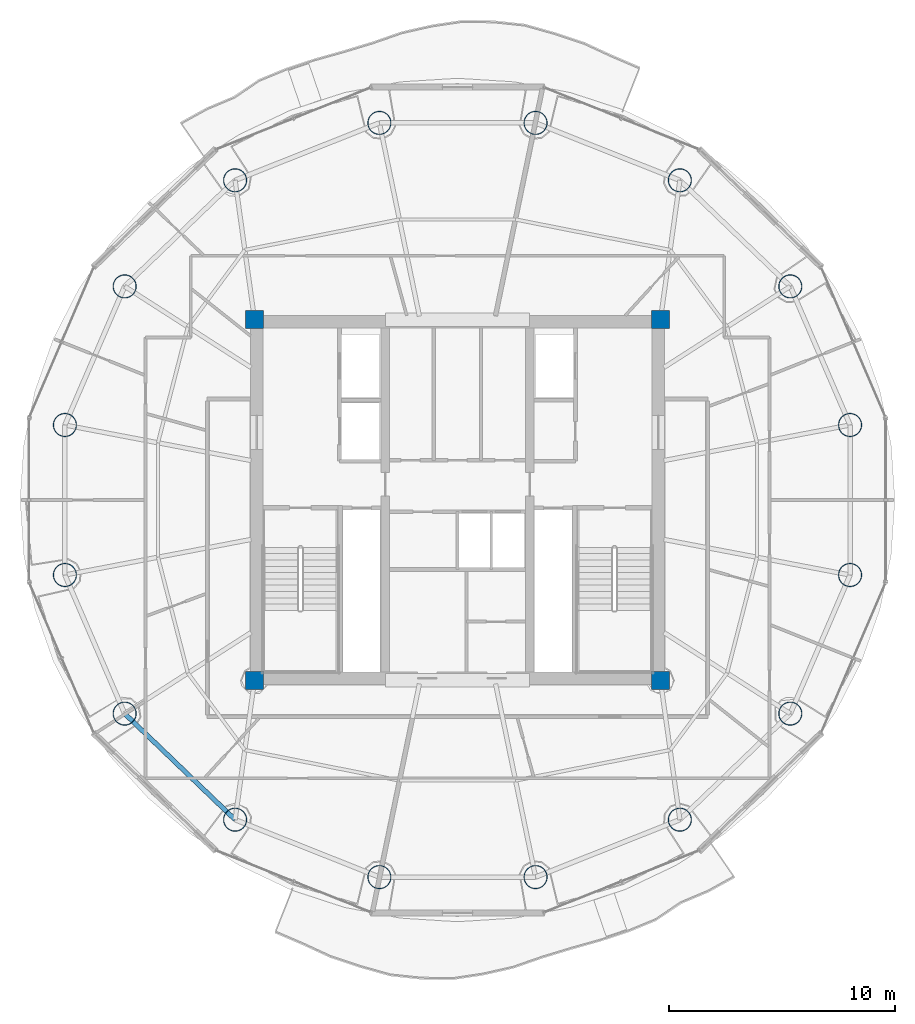
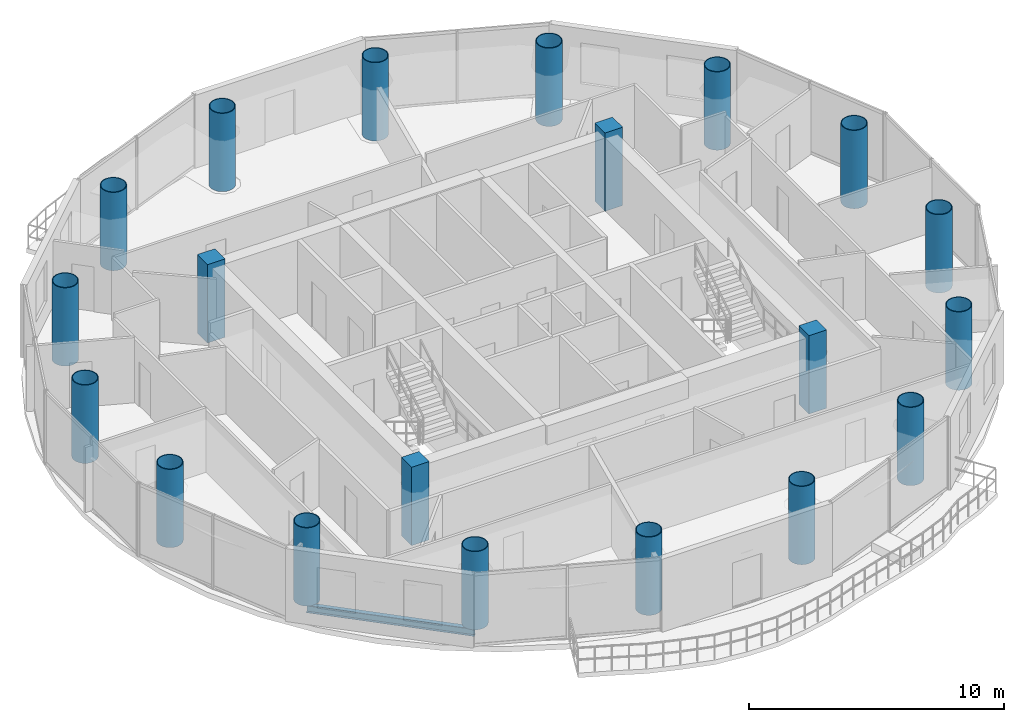
# One storey, part 1 of 21: 20 columns, 1 beam.
"""IFC4 building model written with IfcOpenShell, lengths in metres."""

from ifc_helpers import new_model, si_unit, direction, frame, origin, origin_2d, place, context, subcontext, project, spatial, rectangle, hollow_circle, i_section, extrude, material, material_profile, profile_set, type_object, element, save


model = new_model("IFC4")

# Units and contexts
model_context = context("Model", 3, precision=1e-05, world=origin(), true_north=direction((-0.2419218956, 0.970295726276)))
body_context = subcontext(model_context, "Body", "Model", "MODEL_VIEW")
ifc_project = project(units=[si_unit("LENGTHUNIT", "METRE"), si_unit("AREAUNIT", "SQUARE_METRE"), si_unit("VOLUMEUNIT", "CUBIC_METRE"), si_unit("PLANEANGLEUNIT", "RADIAN"), si_unit("MASSUNIT", "GRAM", prefix="KILO")], contexts=[model_context])

# Site, building, storey
site_placement = place(None, origin())
site = spatial("IfcSite", under=ifc_project, at=site_placement, CompositionType="ELEMENT")
building_placement = place(site_placement, origin())
building = spatial("IfcBuilding", under=site, at=building_placement, Name="Cobrevalo Terracotta Tower", CompositionType="ELEMENT")
storey_placement = place(building_placement, frame((0.0, 0.0, 285.699951171875)))
storey = spatial("IfcBuildingStorey", under=building, at=storey_placement, Name="L75", CompositionType="ELEMENT", Elevation=285.699951171875)

# Columns
ifc_material_1 = material(Name="Steel S355", Category="steel")
ifc_material_profile_1 = material_profile(ifc_material_1, hollow_circle(Radius=0.52490234375, WallThickness=0.034912109375, at=origin_2d()), Name="CHS 1050x35")
ifc_profile_set_1 = profile_set([ifc_material_profile_1], Name="Steel S355")
column_type_1 = type_object("IfcColumnType", Name="Structural Column CHS 1050x35 (Steel S355)", PredefinedType="COLUMN", material=ifc_profile_set_1)
for number, where, z_axis, x_axis, name in (
    (1, (55.408935546875, 30.126220703125, 0.0), (0.0, 0.0, 1.0), (1.0, 0.0, 0.0), "L75 composite megacolumn MC01"),
    (2, (52.758544921875, 36.2724609375, 0.0), (0.0, 0.0, 1.0), (1.0, 0.0, 0.0), "L75 composite megacolumn MC02"),
    (3, (47.861328125, 40.9765625, 0.0), (0.0, 0.0, 1.0), (1.0, 0.0, 0.0), "L75 composite megacolumn MC03"),
    (4, (41.462890625, 43.5224609375, 0.0), (0.0, 0.0, 1.0), (1.0, 0.0, 0.0), "L75 composite megacolumn MC04"),
    (5, (34.537109375, 43.5224609375, 0.0), (0.0, 0.0, 1.0), (1.0, 0.0, 0.0), "L75 composite megacolumn MC05"),
    (6, (28.138671875, 40.9765625, 0.0), (0.0, 0.0, 1.0), (1.0, 0.0, 0.0), "L75 composite megacolumn MC06"),
    (7, (23.241455078125, 36.2724609375, 0.0), (0.0, 0.0, 1.0), (1.0, 0.0, 0.0), "L75 composite megacolumn MC07"),
    (8, (20.591064453125, 30.126220703125, 0.0), (0.0, 0.0, 1.0), (1.0, 0.0, 0.0), "L75 composite megacolumn MC08"),
    (9, (20.591064453125, 23.4736328125, 0.0), (0.0, 0.0, 1.0), (1.0, 0.0, 0.0), "L75 composite megacolumn MC09"),
    (10, (23.241455078125, 17.32763671875, 0.0), (0.0, 0.0, 1.0), (1.0, 0.0, 0.0), "L75 composite megacolumn MC10"),
    (11, (28.138671875, 12.62353515625, 0.0), (0.0, 0.0, 1.0), (1.0, 0.0, 0.0), "L75 composite megacolumn MC11"),
    (12, (34.537109375, 10.07763671875, 0.0), (0.0, 0.0, 1.0), (1.0, 0.0, 0.0), "L75 composite megacolumn MC12"),
    (13, (41.462890625, 10.07763671875, 0.0), (0.0, 0.0, 1.0), (1.0, 0.0, 0.0), "L75 composite megacolumn MC13"),
    (14, (47.861328125, 12.62353515625, 0.0), (0.0, 0.0, 1.0), (1.0, 0.0, 0.0), "L75 composite megacolumn MC14"),
    (15, (52.758544921875, 17.32763671875, 0.0), (0.0, 0.0, 1.0), (1.0, 0.0, 0.0), "L75 composite megacolumn MC15"),
    (16, (55.408935546875, 23.4736328125, 0.0), (0.0, 0.0, 1.0), (1.0, 0.0, 0.0), "L75 composite megacolumn MC16"),
):
    element("IfcColumn", number, at=place(storey_placement, frame(where, z_axis=z_axis, x_axis=x_axis)), inside=storey, type_object=column_type_1, Name=name, PredefinedType="COLUMN", context=body_context, shape_type="SweptSolid", body=[
        extrude(hollow_circle(Radius=0.52490234375, WallThickness=0.034912109375, at=origin_2d()), origin(), (0.0, 0.0, 1.0), 3.75),
    ])
ifc_material_2 = material(Name="Concrete C50", Category="concrete")
ifc_material_profile_2 = material_profile(ifc_material_2, rectangle(XDim=0.800048828125, YDim=0.800048828125, at=origin_2d()), Name="RC COL 800x800")
ifc_profile_set_2 = profile_set([ifc_material_profile_2], Name="Concrete C50")
column_type_2 = type_object("IfcColumnType", Name="Structural Column RC COL 800x800 (Concrete C50)", PredefinedType="COLUMN", material=ifc_profile_set_2)
for number, where, z_axis, x_axis, name in (
    (17, (29.0, 18.800048828125, 0.0), (0.0, 0.0, 1.0), (1.0, 0.0, 0.0), "L75 core corner column CC1"),
    (18, (47.0, 18.800048828125, 0.0), (0.0, 0.0, 1.0), (1.0, 0.0, 0.0), "L75 core corner column CC2"),
    (19, (47.0, 34.800048828125, 0.0), (0.0, 0.0, 1.0), (1.0, 0.0, 0.0), "L75 core corner column CC3"),
    (20, (29.0, 34.800048828125, 0.0), (0.0, 0.0, 1.0), (1.0, 0.0, 0.0), "L75 core corner column CC4"),
):
    element("IfcColumn", number, at=place(storey_placement, frame(where, z_axis=z_axis, x_axis=x_axis)), inside=storey, type_object=column_type_2, Name=name, PredefinedType="COLUMN", context=body_context, shape_type="SweptSolid", body=[
        extrude(rectangle(XDim=0.800048828125, YDim=0.800048828125, at=origin_2d()), origin(), (0.0, 0.0, 1.0), 3.75),
    ])

# Beam
ifc_material_profile_3 = material_profile(ifc_material_1, i_section(OverallWidth=0.205078125, OverallDepth=0.35400390625, WebThickness=0.009521484375, FlangeThickness=0.016845703125, at=origin_2d()), Name="W 360x79")
ifc_profile_set_3 = profile_set([ifc_material_profile_3], Name="Steel S355")
beam_type = type_object("IfcBeamType", Name="Structural Spandrel W 360x79 (Steel S355)", PredefinedType="SPANDREL", material=ifc_profile_set_3)
beam_placement = place(storey_placement, frame((23.241455078125, 17.32763671875, -0.43701171875), z_axis=(0.721183246144, -0.692744343522, 0.0), x_axis=(0.692744343522, 0.721183246144, 0.0)))
element("IfcBeam", 21, at=beam_placement, inside=storey, type_object=beam_type, Name="L75 perimeter ring spandrel 10", PredefinedType="SPANDREL", context=body_context, shape_type="SweptSolid", body=[
    extrude(i_section(OverallWidth=0.205078125, OverallDepth=0.35400390625, WebThickness=0.009521484375, FlangeThickness=0.016845703125, at=origin_2d()), origin(), (0.0, 0.0, 1.0), 6.79052734375),
])

save(model, "model.ifc")
